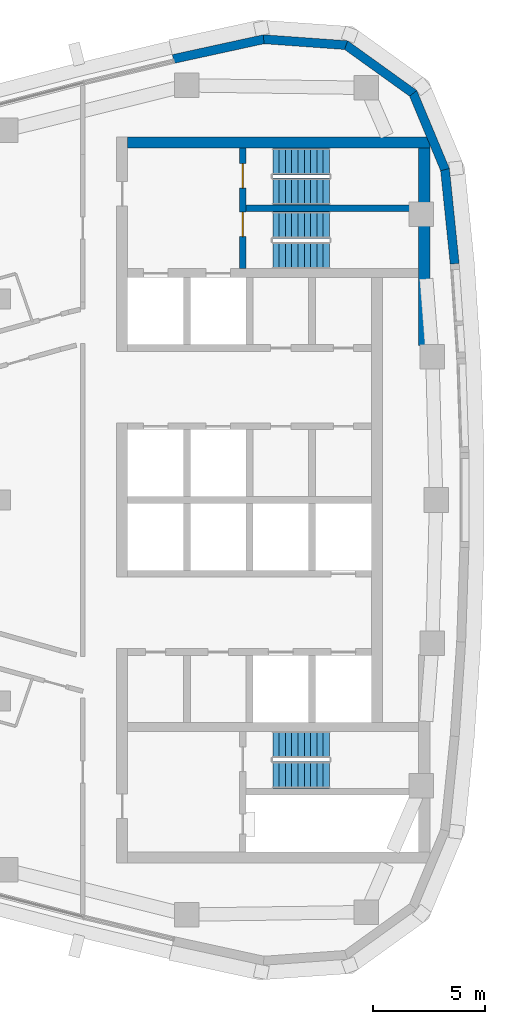
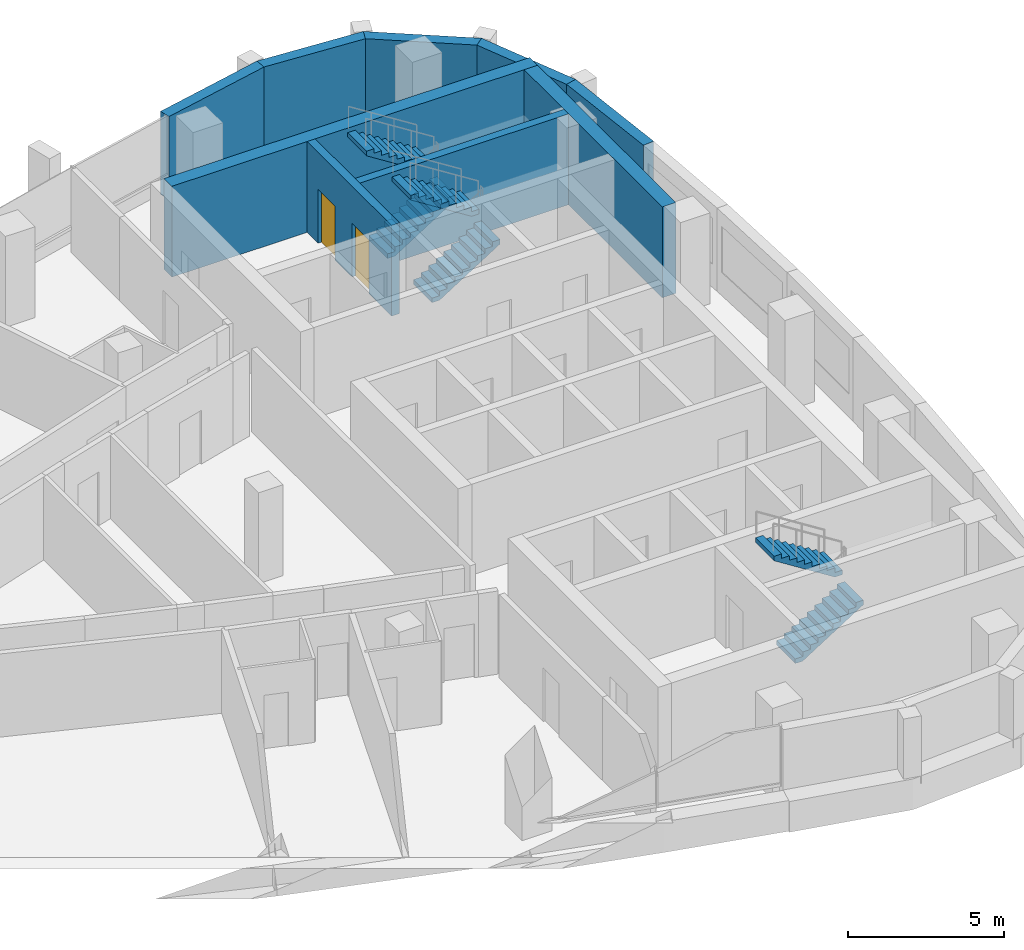
# One storey, part 10 of 14: 9 walls, 6 stair flights, 2 doors, 2 openings, 3 elements without a shape of their own.
"""IFC4 building model written with IfcOpenShell, lengths in metres."""

from ifc_helpers import new_model, si_unit, direction, frame, frame_2d, origin, place, context, subcontext, project, spatial, polyline, rectangle, outline, extrude, material, layer, layer_set, type_object, element, fill, aggregate, save


model = new_model("IFC4")

# Units and contexts
model_context = context("Model", 3, precision=1e-05, world=origin(), true_north=direction((0.0, 1.0)))
body_context = subcontext(model_context, "Body", "Model", "MODEL_VIEW")
ifc_project = project(units=[si_unit("LENGTHUNIT", "METRE"), si_unit("AREAUNIT", "SQUARE_METRE"), si_unit("VOLUMEUNIT", "CUBIC_METRE"), si_unit("PLANEANGLEUNIT", "RADIAN"), si_unit("MASSUNIT", "GRAM", prefix="KILO")], contexts=[model_context])

# Site, building, storey
site_placement = place(None, origin())
site = spatial("IfcSite", under=ifc_project, at=site_placement, CompositionType="ELEMENT")
building_placement = place(site_placement, origin())
building = spatial("IfcBuilding", under=site, at=building_placement, Name="Ostrand Prow Hotel Tower", CompositionType="ELEMENT")
storey_placement = place(building_placement, frame((0.0, 0.0, 267.89990234375)))
storey = spatial("IfcBuildingStorey", under=building, at=storey_placement, Name="L67", CompositionType="ELEMENT", Elevation=267.89990234375)

# Wall, openings, doors
ifc_material_1 = material(Name="Concrete C50/60", Category="concrete")
ifc_layer_1 = layer(ifc_material_1, 0.300048828125)
ifc_layer_set_1 = layer_set([ifc_layer_1], Name="Concrete C50/60")
wall_type_1 = type_object("IfcWallType", Name="Core wall 300 C50/60", PredefinedType="SHEAR", material=ifc_layer_set_1)
wall_1_placement = place(storey_placement, frame((55.85009765625, 10.35009765625, 0.0), z_axis=(0.0, 0.0, 1.0), x_axis=(0.0, 1.0, 0.0)))
wall_1 = element("IfcWall", 1, at=wall_1_placement, inside=storey, type_object=wall_type_1, Name="Core wall PW-VN", PredefinedType="SHEAR", context=body_context, shape_type="SweptSolid", body=[
    extrude(rectangle(XDim=5.39990234375, YDim=0.300048828125, at=frame_2d((2.699951171875, 0.0))), origin(), (0.0, 0.0, 1.0), 3.550048828125),
])
opening_1_placement = place(wall_1_placement, frame((1.429931640625, 0.0, 0.0)))
opening_1 = element("IfcOpeningElement", 2, at=opening_1_placement, cuts=wall_1, Name="Opening FD1", PredefinedType="OPENING", context=body_context, shape_type="SweptSolid", body=[
    extrude(rectangle(XDim=1.10009765625, YDim=2.10009765625, at=frame_2d((0.550048828125, 1.050048828125))), frame((0.0, 0.159912109375, 0.0), z_axis=(0.0, -1.0, 0.0), x_axis=(1.0, 0.0, 0.0)), (0.0, 0.0, 1.0), 0.320068359375),
])
opening_2_placement = place(wall_1_placement, frame((3.60009765625, 0.0, 0.0)))
opening_2 = element("IfcOpeningElement", 3, at=opening_2_placement, cuts=wall_1, Name="Opening FD1", PredefinedType="OPENING", context=body_context, shape_type="SweptSolid", body=[
    extrude(rectangle(XDim=1.10009765625, YDim=2.10009765625, at=frame_2d((0.550048828125, 1.050048828125))), frame((0.0, 0.159912109375, 0.0), z_axis=(0.0, -1.0, 0.0), x_axis=(1.0, 0.0, 0.0)), (0.0, 0.0, 1.0), 0.320068359375),
])
ifc_material_2 = material(Name="Steel fire door", Category="steel")
door_type = type_object("IfcDoorType", Name="Fire door 1100 EI120", OperationType="SINGLE_SWING_RIGHT", PredefinedType="DOOR", material=ifc_material_2)
door_1_placement = place(opening_1_placement, origin())
door_1 = element("IfcDoor", 4, at=door_1_placement, inside=storey, type_object=door_type, Name="FIRE DOOR", OperationType="SINGLE_SWING_RIGHT", OverallHeight=2.10009765625, OverallWidth=1.10009765625, PredefinedType="DOOR", context=body_context, shape_type="SweptSolid", body=[
    extrude(rectangle(XDim=1.10009765625, YDim=2.10009765625, at=frame_2d((0.550048828125, 1.050048828125))), frame((0.0, 0.02490234375, 0.0), z_axis=(0.0, -1.0, 0.0), x_axis=(1.0, 0.0, 0.0)), (0.0, 0.0, 1.0), 0.050048828125),
])
fill(opening_1, door_1)
door_2_placement = place(opening_2_placement, origin())
door_2 = element("IfcDoor", 5, at=door_2_placement, inside=storey, type_object=door_type, Name="FIRE DOOR", OperationType="SINGLE_SWING_RIGHT", OverallHeight=2.10009765625, OverallWidth=1.10009765625, PredefinedType="DOOR", context=body_context, shape_type="SweptSolid", body=[
    extrude(rectangle(XDim=1.10009765625, YDim=2.10009765625, at=frame_2d((0.550048828125, 1.050048828125))), frame((0.0, 0.02490234375, 0.0), z_axis=(0.0, -1.0, 0.0), x_axis=(1.0, 0.0, 0.0)), (0.0, 0.0, 1.0), 0.050048828125),
])
fill(opening_2, door_2)

# Walls
wall_2_placement = place(storey_placement, frame((56.0, 13.050048828125, 0.0), z_axis=(0.0, 0.0, 1.0), x_axis=(1.0, 0.0, 0.0)))
element("IfcWall", 6, at=wall_2_placement, inside=storey, type_object=wall_type_1, Name="Core wall PW-ST13", PredefinedType="SHEAR", context=body_context, shape_type="SweptSolid", body=[
    extrude(rectangle(XDim=7.719970703125, YDim=0.300048828125, at=frame_2d((3.85986328125, 0.0))), origin(), (0.0, 0.0, 1.0), 3.550048828125),
])
ifc_material_3 = material(Name="Concrete C50/60", Category="concrete")
ifc_layer_2 = layer(ifc_material_3, 0.5)
ifc_layer_set_2 = layer_set([ifc_layer_2], Name="Concrete C50/60")
wall_type_2 = type_object("IfcWallType", Name="Core wall 500 C50/60", PredefinedType="SHEAR", material=ifc_layer_set_2)
wall_3_placement = place(storey_placement, frame((50.699951171875, 16.0, 0.0), z_axis=(0.0, 0.0, 1.0), x_axis=(1.0, 0.0, 0.0)))
element("IfcWall", 7, at=wall_3_placement, inside=storey, type_object=wall_type_2, Name="Core wall CW-N", PredefinedType="SHEAR", context=body_context, shape_type="SweptSolid", body=[
    extrude(rectangle(XDim=13.52001953125, YDim=0.5, at=frame_2d((6.760009765625, 0.0))), origin(), (0.0, 0.0, 1.0), 3.550048828125),
])
wall_4_placement = place(storey_placement, frame((63.969970703125, 6.9033203125, 0.0), z_axis=(0.0, 0.0, 1.0), x_axis=(0.0, 1.0, 0.0)))
element("IfcWall", 8, at=wall_4_placement, inside=storey, type_object=wall_type_2, Name="Core wall CW-E-N", PredefinedType="SHEAR", context=body_context, shape_type="SweptSolid", body=[
    extrude(rectangle(XDim=8.8466796875, YDim=0.5, at=frame_2d((4.42333984375, 0.0))), origin(), (0.0, 0.0, 1.0), 3.550048828125),
])
ifc_material_4 = material(Name="Precast concrete C40/50", Category="concrete")
ifc_layer_3 = layer(ifc_material_4, 0.39990234375)
ifc_layer_set_3 = layer_set([ifc_layer_3], Name="Precast concrete C40/50")
wall_type_3 = type_object("IfcWallType", Name="Stone-faced precast wall 400 mm", PredefinedType="NOTDEFINED", material=ifc_layer_set_3)
wall_5_placement = place(storey_placement, frame((65.3310546875, 10.5712890625, 0.0), z_axis=(0.0, 0.0, 1.0), x_axis=(-0.102249826987, 0.994758751096, 0.0)))
element("IfcWall", 9, at=wall_5_placement, inside=storey, type_object=wall_type_3, Name="Stone-faced wall back 11", PredefinedType="NOTDEFINED", context=body_context, shape_type="SweptSolid", body=[
    extrude(outline(polyline([(-0.00341796875, -0.199951171875), (4.262939453125, -0.199951171875), (4.203857421875, 0.199951171875), (0.00341796875, 0.199951171875), (-0.00341796875, -0.199951171875)])), origin(), (0.0, 0.0, 1.0), 3.25),
])
wall_6_placement = place(storey_placement, frame((64.898193359375, 14.782470703125, 0.0), z_axis=(0.0, 0.0, 1.0), x_axis=(-0.385285857918, 0.922797273343, 0.0)))
element("IfcWall", 10, at=wall_6_placement, inside=storey, type_object=wall_type_3, Name="Stone-faced wall back 12", PredefinedType="NOTDEFINED", context=body_context, shape_type="SweptSolid", body=[
    extrude(outline(polyline([(-0.029541015625, -0.199951171875), (3.75341796875, -0.199951171875), (3.64013671875, 0.199951171875), (0.029541015625, 0.199951171875), (-0.029541015625, -0.199951171875)])), origin(), (0.0, 0.0, 1.0), 3.25),
])
wall_7_placement = place(storey_placement, frame((63.473876953125, 18.19384765625, 0.0), z_axis=(0.0, 0.0, 1.0), x_axis=(-0.811962548682, 0.583709533533, 0.0)))
element("IfcWall", 11, at=wall_7_placement, inside=storey, type_object=wall_type_3, Name="Stone-faced wall back 13", PredefinedType="NOTDEFINED", context=body_context, shape_type="SweptSolid", body=[
    extrude(outline(polyline([(-0.056640625, -0.199951171875), (3.753173828125, -0.199951171875), (3.639892578125, 0.199951171875), (0.056640625, 0.199951171875), (-0.056640625, -0.199951171875)])), origin(), (0.0, 0.0, 1.0), 3.25),
])
wall_8_placement = place(storey_placement, frame((60.472412109375, 20.3515625, 0.0), z_axis=(0.0, 0.0, 1.0), x_axis=(-0.99746272096, 0.071190731806, 0.0)))
element("IfcWall", 12, at=wall_8_placement, inside=storey, type_object=wall_type_3, Name="Stone-faced wall back 14", PredefinedType="NOTDEFINED", context=body_context, shape_type="SweptSolid", body=[
    extrude(outline(polyline([(-0.056640625, -0.199951171875), (3.7255859375, -0.199951171875), (3.66796875, 0.199951171875), (0.056640625, 0.199951171875), (-0.056640625, -0.199951171875)])), origin(), (0.0, 0.0, 1.0), 3.25),
])
wall_9_placement = place(storey_placement, frame((56.784912109375, 20.61474609375, 0.0), z_axis=(0.0, 0.0, 1.0), x_axis=(-0.977020225348, -0.213146614471, 0.0)))
element("IfcWall", 13, at=wall_9_placement, inside=storey, type_object=wall_type_3, Name="Stone-faced wall back 15", PredefinedType="NOTDEFINED", context=body_context, shape_type="SweptSolid", body=[
    extrude(outline(polyline([(-0.02880859375, -0.199951171875), (4.141845703125, -0.199951171875), (4.141845703125, 0.199951171875), (0.02880859375, 0.199951171875), (-0.02880859375, -0.199951171875)])), origin(), (0.0, 0.0, 1.0), 3.25),
])

# Stair, stair flights
ifc_material_5 = material(Name="Concrete C40/50", Category="concrete")
stair_type = type_object("IfcStairType", Name="Exit stair 1200 upper zone", PredefinedType="HALF_TURN_STAIR", material=ifc_material_5)
stair_1_placement = place(storey_placement, origin())
stair_1 = element("IfcStair", 14, at=stair_1_placement, inside=storey, type_object=stair_type, Name="L67 ST1C", PredefinedType="HALF_TURN_STAIR")
ifc_material_6 = material(Name="Concrete C40/50", Category="concrete")
stair_flight_type = type_object("IfcStairFlightType", Name="Stair flight 1200 concrete", PredefinedType="STRAIGHT", material=ifc_material_6)
stair_flight_1_placement = place(storey_placement, frame((57.199951171875, 10.949951171875, 0.0), z_axis=(0.0, 0.0, 1.0), x_axis=(1.0, 0.0, 0.0)))
stair_flight_1 = element("IfcStairFlight", 15, at=stair_flight_1_placement, type_object=stair_flight_type, Name="ST1C flight 1", NumberOfRisers=10, NumberOfTreads=9, PredefinedType="STRAIGHT", RiserHeight=0.1775, TreadLength=0.28, context=body_context, shape_type="SweptSolid", body=[
    extrude(outline(polyline([(0.0, 0.0), (0.0, 0.177490234375), (0.280029296875, 0.177490234375), (0.280029296875, 0.35498046875), (0.56005859375, 0.35498046875), (0.56005859375, 0.532470703125), (0.840087890625, 0.532470703125), (0.840087890625, 0.7099609375), (1.1201171875, 0.7099609375), (1.1201171875, 0.887451171875), (1.39990234375, 0.887451171875), (1.39990234375, 1.06494140625), (1.679931640625, 1.06494140625), (1.679931640625, 1.242431640625), (1.9599609375, 1.242431640625), (1.9599609375, 1.419921875), (2.239990234375, 1.419921875), (2.239990234375, 1.597412109375), (2.52001953125, 1.597412109375), (2.52001953125, 1.77490234375), (2.52001953125, 1.419921875), (0.280029296875, 0.0), (0.0, 0.0)])), frame((0.0, 0.60009765625, 0.0), z_axis=(0.0, -1.0, 0.0), x_axis=(1.0, 0.0, 0.0)), (0.0, 0.0, 1.0), 1.199951171875),
])
stair_flight_2_placement = place(storey_placement, frame((59.719970703125, 12.300048828125, 1.775146484375), z_axis=(0.0, 0.0, 1.0), x_axis=(-1.0, 0.0, 0.0)))
stair_flight_2 = element("IfcStairFlight", 16, at=stair_flight_2_placement, type_object=stair_flight_type, Name="ST1C flight 2", NumberOfRisers=10, NumberOfTreads=9, PredefinedType="STRAIGHT", RiserHeight=0.1775, TreadLength=0.28, context=body_context, shape_type="SweptSolid", body=[
    extrude(outline(polyline([(0.0, 0.0), (0.0, 0.177490234375), (0.280029296875, 0.177490234375), (0.280029296875, 0.35498046875), (0.56005859375, 0.35498046875), (0.56005859375, 0.532470703125), (0.840087890625, 0.532470703125), (0.840087890625, 0.7099609375), (1.1201171875, 0.7099609375), (1.1201171875, 0.887451171875), (1.39990234375, 0.887451171875), (1.39990234375, 1.06494140625), (1.679931640625, 1.06494140625), (1.679931640625, 1.242431640625), (1.9599609375, 1.242431640625), (1.9599609375, 1.419921875), (2.239990234375, 1.419921875), (2.239990234375, 1.597412109375), (2.52001953125, 1.597412109375), (2.52001953125, 1.77490234375), (2.52001953125, 1.419921875), (0.280029296875, 0.0), (0.0, 0.0)])), frame((0.0, 0.60009765625, 0.0), z_axis=(0.0, -1.0, 0.0), x_axis=(1.0, 0.0, 0.0)), (0.0, 0.0, 1.0), 1.199951171875),
])
aggregate(stair_1, [stair_flight_1, stair_flight_2])

stair_2_placement = place(storey_placement, origin())
stair_2 = element("IfcStair", 17, at=stair_2_placement, inside=storey, type_object=stair_type, Name="L67 ST3C", PredefinedType="HALF_TURN_STAIR")
stair_flight_3_placement = place(storey_placement, frame((57.199951171875, 13.800048828125, 0.0), z_axis=(0.0, 0.0, 1.0), x_axis=(1.0, 0.0, 0.0)))
stair_flight_3 = element("IfcStairFlight", 18, at=stair_flight_3_placement, type_object=stair_flight_type, Name="ST3C flight 1", NumberOfRisers=10, NumberOfTreads=9, PredefinedType="STRAIGHT", RiserHeight=0.1775, TreadLength=0.28, context=body_context, shape_type="SweptSolid", body=[
    extrude(outline(polyline([(0.0, 0.0), (0.0, 0.177490234375), (0.280029296875, 0.177490234375), (0.280029296875, 0.35498046875), (0.56005859375, 0.35498046875), (0.56005859375, 0.532470703125), (0.840087890625, 0.532470703125), (0.840087890625, 0.7099609375), (1.1201171875, 0.7099609375), (1.1201171875, 0.887451171875), (1.39990234375, 0.887451171875), (1.39990234375, 1.06494140625), (1.679931640625, 1.06494140625), (1.679931640625, 1.242431640625), (1.9599609375, 1.242431640625), (1.9599609375, 1.419921875), (2.239990234375, 1.419921875), (2.239990234375, 1.597412109375), (2.52001953125, 1.597412109375), (2.52001953125, 1.77490234375), (2.52001953125, 1.419921875), (0.280029296875, 0.0), (0.0, 0.0)])), frame((0.0, 0.60009765625, 0.0), z_axis=(0.0, -1.0, 0.0), x_axis=(1.0, 0.0, 0.0)), (0.0, 0.0, 1.0), 1.199951171875),
])
stair_flight_4_placement = place(storey_placement, frame((59.719970703125, 15.14990234375, 1.775146484375), z_axis=(0.0, 0.0, 1.0), x_axis=(-1.0, 0.0, 0.0)))
stair_flight_4 = element("IfcStairFlight", 19, at=stair_flight_4_placement, type_object=stair_flight_type, Name="ST3C flight 2", NumberOfRisers=10, NumberOfTreads=9, PredefinedType="STRAIGHT", RiserHeight=0.1775, TreadLength=0.28, context=body_context, shape_type="SweptSolid", body=[
    extrude(outline(polyline([(0.0, 0.0), (0.0, 0.177490234375), (0.280029296875, 0.177490234375), (0.280029296875, 0.35498046875), (0.56005859375, 0.35498046875), (0.56005859375, 0.532470703125), (0.840087890625, 0.532470703125), (0.840087890625, 0.7099609375), (1.1201171875, 0.7099609375), (1.1201171875, 0.887451171875), (1.39990234375, 0.887451171875), (1.39990234375, 1.06494140625), (1.679931640625, 1.06494140625), (1.679931640625, 1.242431640625), (1.9599609375, 1.242431640625), (1.9599609375, 1.419921875), (2.239990234375, 1.419921875), (2.239990234375, 1.597412109375), (2.52001953125, 1.597412109375), (2.52001953125, 1.77490234375), (2.52001953125, 1.419921875), (0.280029296875, 0.0), (0.0, 0.0)])), frame((0.0, 0.60009765625, 0.0), z_axis=(0.0, -1.0, 0.0), x_axis=(1.0, 0.0, 0.0)), (0.0, 0.0, 1.0), 1.199951171875),
])
aggregate(stair_2, [stair_flight_3, stair_flight_4])

stair_3_placement = place(storey_placement, origin())
stair_3 = element("IfcStair", 20, at=stair_3_placement, inside=storey, type_object=stair_type, Name="L67 ST2C", PredefinedType="HALF_TURN_STAIR")
stair_flight_5_placement = place(storey_placement, frame((57.199951171875, -12.300048828125, 0.0), z_axis=(0.0, 0.0, 1.0), x_axis=(1.0, 0.0, 0.0)))
stair_flight_5 = element("IfcStairFlight", 21, at=stair_flight_5_placement, type_object=stair_flight_type, Name="ST2C flight 1", NumberOfRisers=10, NumberOfTreads=9, PredefinedType="STRAIGHT", RiserHeight=0.1775, TreadLength=0.28, context=body_context, shape_type="SweptSolid", body=[
    extrude(outline(polyline([(0.0, 0.0), (0.0, 0.177490234375), (0.280029296875, 0.177490234375), (0.280029296875, 0.35498046875), (0.56005859375, 0.35498046875), (0.56005859375, 0.532470703125), (0.840087890625, 0.532470703125), (0.840087890625, 0.7099609375), (1.1201171875, 0.7099609375), (1.1201171875, 0.887451171875), (1.39990234375, 0.887451171875), (1.39990234375, 1.06494140625), (1.679931640625, 1.06494140625), (1.679931640625, 1.242431640625), (1.9599609375, 1.242431640625), (1.9599609375, 1.419921875), (2.239990234375, 1.419921875), (2.239990234375, 1.597412109375), (2.52001953125, 1.597412109375), (2.52001953125, 1.77490234375), (2.52001953125, 1.419921875), (0.280029296875, 0.0), (0.0, 0.0)])), frame((0.0, 0.60009765625, 0.0), z_axis=(0.0, -1.0, 0.0), x_axis=(1.0, 0.0, 0.0)), (0.0, 0.0, 1.0), 1.199951171875),
])
stair_flight_6_placement = place(storey_placement, frame((59.719970703125, -10.949951171875, 1.775146484375), z_axis=(0.0, 0.0, 1.0), x_axis=(-1.0, 0.0, 0.0)))
stair_flight_6 = element("IfcStairFlight", 22, at=stair_flight_6_placement, type_object=stair_flight_type, Name="ST2C flight 2", NumberOfRisers=10, NumberOfTreads=9, PredefinedType="STRAIGHT", RiserHeight=0.1775, TreadLength=0.28, context=body_context, shape_type="SweptSolid", body=[
    extrude(outline(polyline([(0.0, 0.0), (0.0, 0.177490234375), (0.280029296875, 0.177490234375), (0.280029296875, 0.35498046875), (0.56005859375, 0.35498046875), (0.56005859375, 0.532470703125), (0.840087890625, 0.532470703125), (0.840087890625, 0.7099609375), (1.1201171875, 0.7099609375), (1.1201171875, 0.887451171875), (1.39990234375, 0.887451171875), (1.39990234375, 1.06494140625), (1.679931640625, 1.06494140625), (1.679931640625, 1.242431640625), (1.9599609375, 1.242431640625), (1.9599609375, 1.419921875), (2.239990234375, 1.419921875), (2.239990234375, 1.597412109375), (2.52001953125, 1.597412109375), (2.52001953125, 1.77490234375), (2.52001953125, 1.419921875), (0.280029296875, 0.0), (0.0, 0.0)])), frame((0.0, 0.60009765625, 0.0), z_axis=(0.0, -1.0, 0.0), x_axis=(1.0, 0.0, 0.0)), (0.0, 0.0, 1.0), 1.199951171875),
])
aggregate(stair_3, [stair_flight_5, stair_flight_6])

save(model, "model.ifc")
